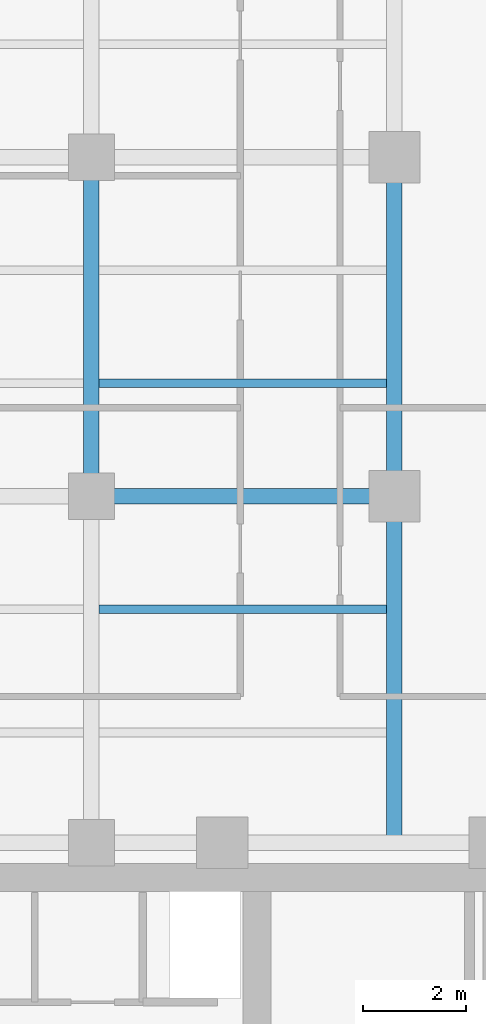
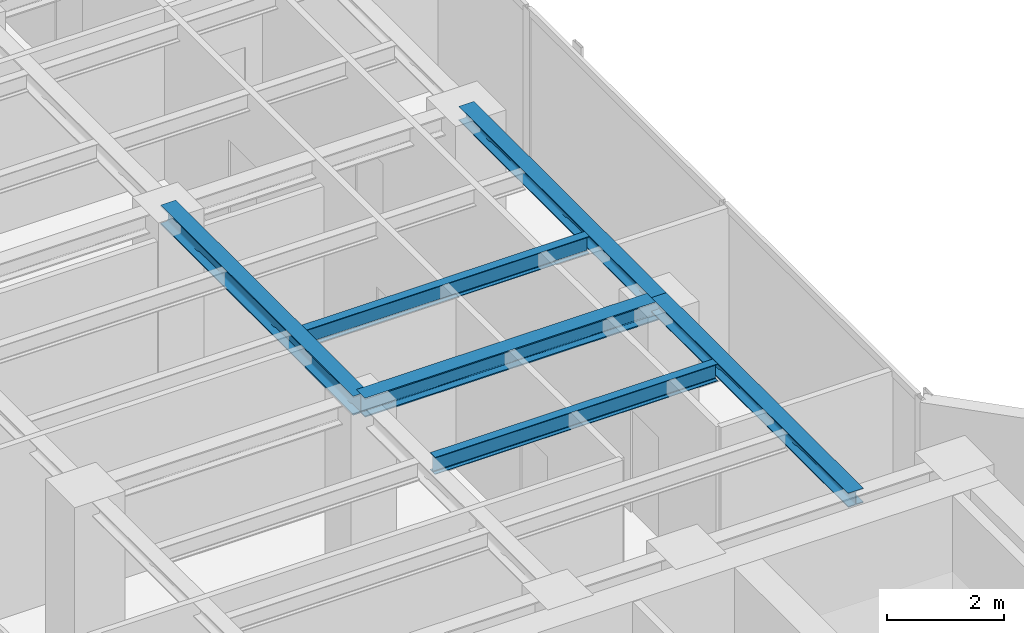
# One storey, part 8 of 23: 6 beams.
"""IFC4 building model written with IfcOpenShell, lengths in metres."""

from ifc_helpers import new_model, si_unit, direction, frame, origin, origin_2d, place, context, subcontext, project, spatial, i_section, extrude, material, material_profile, profile_set, type_object, element, save


model = new_model("IFC4")

# Units and contexts
model_context = context("Model", 3, precision=1e-05, world=origin(), true_north=direction((0.0, 1.0)))
body_context = subcontext(model_context, "Body", "Model", "MODEL_VIEW")
ifc_project = project(units=[si_unit("LENGTHUNIT", "METRE"), si_unit("AREAUNIT", "SQUARE_METRE"), si_unit("VOLUMEUNIT", "CUBIC_METRE"), si_unit("PLANEANGLEUNIT", "RADIAN"), si_unit("MASSUNIT", "GRAM", prefix="KILO")], contexts=[model_context])

# Site, building, storey
site_placement = place(None, origin())
site = spatial("IfcSite", under=ifc_project, at=site_placement, CompositionType="ELEMENT")
building_placement = place(site_placement, origin())
building = spatial("IfcBuilding", under=site, at=building_placement, Name="Kolvaren Waterfront Exchange", CompositionType="ELEMENT")
storey_placement = place(building_placement, frame((0.0, 0.0, 227.300048828125)))
storey = spatial("IfcBuildingStorey", under=building, at=storey_placement, Name="L58", CompositionType="ELEMENT", Elevation=227.300048828125)

# Beams
ifc_material = material(Name="Steel S355", Category="steel")
ifc_material_profile_1 = material_profile(ifc_material, i_section(OverallWidth=0.300048828125, OverallDepth=0.300048828125, WebThickness=0.010986328125, FlangeThickness=0.01904296875, FilletRadius=0.027099609375, at=origin_2d()), Name="HEB300")
ifc_profile_set_1 = profile_set([ifc_material_profile_1], Name="Steel S355")
beam_type_1 = type_object("IfcBeamType", Name="STR-BM-HEB300", PredefinedType="SPANDREL", material=ifc_profile_set_1)
beam_1_placement = place(storey_placement, frame((18.800048828125, 24.449951171875, 3.409912109375), z_axis=(0.0, 1.0, 0.0), x_axis=(-1.0, 0.0, 0.0)))
element("IfcBeam", 1, at=beam_1_placement, inside=storey, type_object=beam_type_1, Name="L58 north-arm edge beam 1", PredefinedType="SPANDREL", context=body_context, shape_type="SweptSolid", body=[
    extrude(i_section(OverallWidth=0.300048828125, OverallDepth=0.300048828125, WebThickness=0.010986328125, FlangeThickness=0.01904296875, FilletRadius=0.027099609375, at=origin_2d()), origin(), (0.0, 0.0, 1.0), 6.75),
])
beam_2_placement = place(storey_placement, frame((18.800048828125, 31.199951171875, 3.409912109375), z_axis=(0.0, 1.0, 0.0), x_axis=(-1.0, 0.0, 0.0)))
element("IfcBeam", 2, at=beam_2_placement, inside=storey, type_object=beam_type_1, Name="L58 north-arm edge beam 2", PredefinedType="SPANDREL", context=body_context, shape_type="SweptSolid", body=[
    extrude(i_section(OverallWidth=0.300048828125, OverallDepth=0.300048828125, WebThickness=0.010986328125, FlangeThickness=0.01904296875, FilletRadius=0.027099609375, at=origin_2d()), origin(), (0.0, 0.0, 1.0), 6.60009765625),
])
ifc_material_profile_2 = material_profile(ifc_material, i_section(OverallWidth=0.300048828125, OverallDepth=0.39990234375, WebThickness=0.013427734375, FlangeThickness=0.02392578125, FilletRadius=0.027099609375, at=origin_2d()), Name="HEB400")
ifc_profile_set_2 = profile_set([ifc_material_profile_2], Name="Steel S355")
beam_type_2 = type_object("IfcBeamType", Name="STR-BM-HEB400", PredefinedType="BEAM", material=ifc_profile_set_2)
beam_3_placement = place(storey_placement, frame((12.89990234375, 31.199951171875, 3.35986328125), z_axis=(1.0, 0.0, 0.0), x_axis=(0.0, 1.0, 0.0)))
element("IfcBeam", 3, at=beam_3_placement, inside=storey, type_object=beam_type_2, Name="L58 north-arm girder 2B", PredefinedType="BEAM", context=body_context, shape_type="SweptSolid", body=[
    extrude(i_section(OverallWidth=0.300048828125, OverallDepth=0.39990234375, WebThickness=0.013427734375, FlangeThickness=0.02392578125, FilletRadius=0.027099609375, at=origin_2d()), origin(), (0.0, 0.0, 1.0), 5.900146484375),
])
beam_4_placement = place(storey_placement, frame((12.89990234375, 31.199951171875, 3.35986328125), z_axis=(0.0, 1.0, 0.0), x_axis=(-1.0, 0.0, 0.0)))
element("IfcBeam", 4, at=beam_4_placement, inside=storey, type_object=beam_type_2, Name="L58 north-arm edge beam 2", PredefinedType="BEAM", context=body_context, shape_type="SweptSolid", body=[
    extrude(i_section(OverallWidth=0.300048828125, OverallDepth=0.39990234375, WebThickness=0.013427734375, FlangeThickness=0.02392578125, FilletRadius=0.027099609375, at=origin_2d()), origin(), (0.0, 0.0, 1.0), 6.60009765625),
])
ifc_material_profile_3 = material_profile(ifc_material, i_section(OverallWidth=0.169921875, OverallDepth=0.360107421875, WebThickness=0.008056640625, FlangeThickness=0.0126953125, FilletRadius=0.01806640625, at=origin_2d()), Name="IPE360")
ifc_profile_set_3 = profile_set([ifc_material_profile_3], Name="Steel S355")
beam_type_3 = type_object("IfcBeamType", Name="STR-BM-IPE360", PredefinedType="JOIST", material=ifc_profile_set_3)
for number, where, z_axis, x_axis, name in (
    (5, (13.052001953125, 29.0, 3.3798828125), (1.0, 0.0, 0.0), (0.0, 1.0, 0.0), "L58 north-arm composite joist 2B"),
    (6, (13.052001953125, 33.39990234375, 3.3798828125), (1.0, 0.0, 0.0), (0.0, 1.0, 0.0), "L58 north-arm composite joist 3B"),
):
    element("IfcBeam", number, at=place(storey_placement, frame(where, z_axis=z_axis, x_axis=x_axis)), inside=storey, type_object=beam_type_3, Name=name, PredefinedType="JOIST", context=body_context, shape_type="SweptSolid", body=[
        extrude(i_section(OverallWidth=0.169921875, OverallDepth=0.360107421875, WebThickness=0.008056640625, FlangeThickness=0.0126953125, FilletRadius=0.01806640625, at=origin_2d()), origin(), (0.0, 0.0, 1.0), 5.595947265625),
    ])

save(model, "model.ifc")
